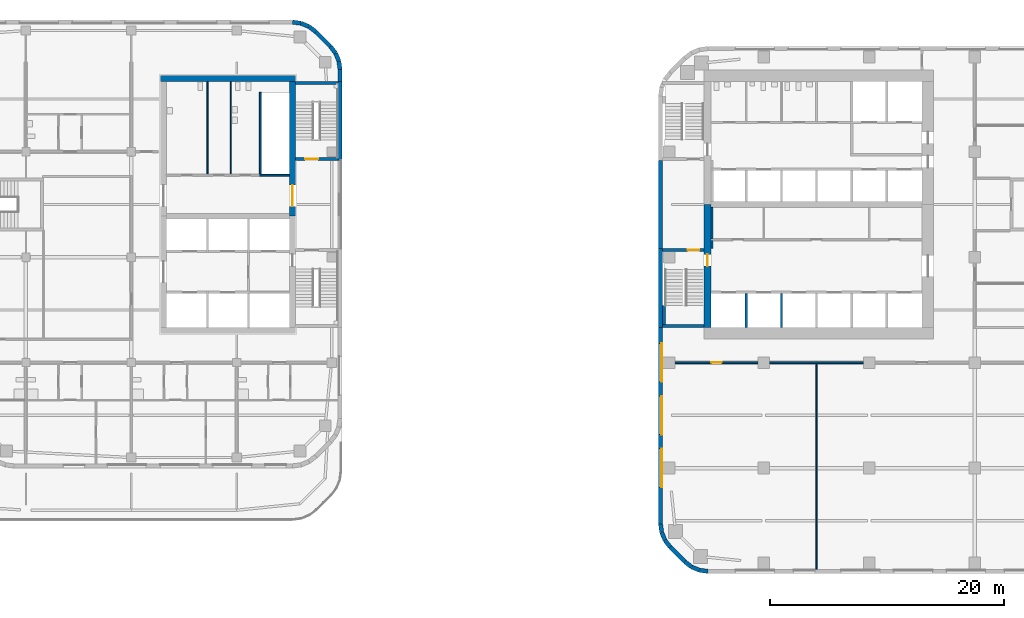
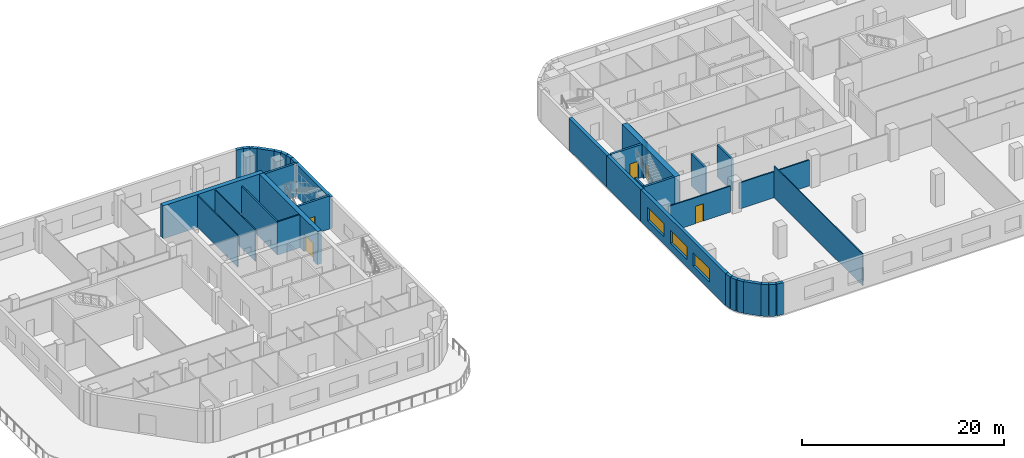
# One storey, part 8 of 15: 38 walls, 5 doors, 3 windows, 8 openings.
"""IFC4 building model written with IfcOpenShell, lengths in metres."""

from ifc_helpers import new_model, si_unit, direction, frame, frame_2d, origin, place, context, subcontext, project, spatial, rectangle, extrude, material, layer, layer_set, type_object, element, fill, save


model = new_model("IFC4")

# Units and contexts
model_context = context("Model", 3, precision=1e-05, world=origin(), true_north=direction((0.0, 1.0)))
body_context = subcontext(model_context, "Body", "Model", "MODEL_VIEW")
ifc_project = project(units=[si_unit("LENGTHUNIT", "METRE"), si_unit("AREAUNIT", "SQUARE_METRE"), si_unit("VOLUMEUNIT", "CUBIC_METRE"), si_unit("PLANEANGLEUNIT", "RADIAN"), si_unit("MASSUNIT", "GRAM", prefix="KILO")], contexts=[model_context])

# Site, building, storey
site_placement = place(None, origin())
site = spatial("IfcSite", under=ifc_project, at=site_placement, CompositionType="ELEMENT")
building_placement = place(site_placement, origin())
building = spatial("IfcBuilding", under=site, at=building_placement, Name="Cinnabar Reach Civic Tower", CompositionType="ELEMENT")
storey_placement = place(building_placement, frame((0.0, 0.0, 51.0)))
storey = spatial("IfcBuildingStorey", under=building, at=storey_placement, Name="L11", CompositionType="ELEMENT", Elevation=51.0)

# Walls
ifc_material_1 = material(Name="Facing brick with insulated backing", Category="masonry")
ifc_layer_1 = layer(ifc_material_1, 0.36)
ifc_layer_set_1 = layer_set([ifc_layer_1], Name="Brick corner wall")
wall_type_1 = type_object("IfcWallType", Name="Brick corner wall", PredefinedType="STANDARD", material=ifc_layer_set_1)
for number, where, z_axis, x_axis, name in (
    (1, (0.183, 4.2314, 0.0), (0.0, 0.0, 1.0), (0.13055608231, -0.99144092581, 0.0), "Brick corner wall"),
    (2, (0.2819, 3.5027, 0.0), (0.0, 0.0, 1.0), (0.382702709855, -0.923871547278, 0.0), "Brick corner wall"),
):
    element("IfcWall", number, at=place(storey_placement, frame(where, z_axis=z_axis, x_axis=x_axis)), inside=storey, type_object=wall_type_1, Name=name, PredefinedType="STANDARD", context=body_context, shape_type="SweptSolid", body=[
        extrude(rectangle(XDim=0.7131, YDim=0.36, at=frame_2d((0.3565, 0.0))), origin(), (0.0, 0.0, 1.0), 3.85),
    ])
for number, where, z_axis, x_axis, name in (
    (3, (0.566, 2.8245, 0.0), (0.0, 0.0, 1.0), (0.608802368033, -0.793321924995, 0.0), "Brick corner wall"),
    (4, (2.2587, 1.0002, 0.0), (0.0, 0.0, 1.0), (0.793321924995, -0.608802368033, 0.0), "Brick corner wall"),
):
    element("IfcWall", number, at=place(storey_placement, frame(where, z_axis=z_axis, x_axis=x_axis)), inside=storey, type_object=wall_type_1, Name=name, PredefinedType="STANDARD", context=body_context, shape_type="SweptSolid", body=[
        extrude(rectangle(XDim=0.7132, YDim=0.36, at=frame_2d((0.3566, 0.0))), origin(), (0.0, 0.0, 1.0), 3.85),
    ])
for number, where, z_axis, x_axis, name in (
    (5, (2.8439, 0.5548, 0.0), (0.0, 0.0, 1.0), (0.923871547278, -0.382702709855, 0.0), "Brick corner wall"),
    (6, (3.5244, 0.2761, 0.0), (0.0, 0.0, 1.0), (0.99144092581, -0.13055608231, 0.0), "Brick corner wall"),
    (7, (-27.183, 43.0186, 0.0), (0.0, 0.0, 1.0), (-0.13055608231, 0.99144092581, 0.0), "Brick corner wall"),
    (8, (-27.2819, 43.7473, 0.0), (0.0, 0.0, 1.0), (-0.382702709855, 0.923871547278, 0.0), "Brick corner wall"),
):
    element("IfcWall", number, at=place(storey_placement, frame(where, z_axis=z_axis, x_axis=x_axis)), inside=storey, type_object=wall_type_1, Name=name, PredefinedType="STANDARD", context=body_context, shape_type="SweptSolid", body=[
        extrude(rectangle(XDim=0.7131, YDim=0.36, at=frame_2d((0.3565, 0.0))), origin(), (0.0, 0.0, 1.0), 3.85),
    ])
for number, where, z_axis, x_axis, name in (
    (9, (-27.566, 44.4255, 0.0), (0.0, 0.0, 1.0), (-0.608802368033, 0.793321924995, 0.0), "Brick corner wall"),
    (10, (-29.2587, 46.2498, 0.0), (0.0, 0.0, 1.0), (-0.793321924995, 0.608802368033, 0.0), "Brick corner wall"),
):
    element("IfcWall", number, at=place(storey_placement, frame(where, z_axis=z_axis, x_axis=x_axis)), inside=storey, type_object=wall_type_1, Name=name, PredefinedType="STANDARD", context=body_context, shape_type="SweptSolid", body=[
        extrude(rectangle(XDim=0.7132, YDim=0.36, at=frame_2d((0.3566, 0.0))), origin(), (0.0, 0.0, 1.0), 3.85),
    ])
for number, where, z_axis, x_axis, name in (
    (11, (-29.8439, 46.6952, 0.0), (0.0, 0.0, 1.0), (-0.923871547278, 0.382702709855, 0.0), "Brick corner wall"),
    (12, (-30.5244, 46.9739, 0.0), (0.0, 0.0, 1.0), (-0.99144092581, 0.13055608231, 0.0), "Brick corner wall"),
):
    element("IfcWall", number, at=place(storey_placement, frame(where, z_axis=z_axis, x_axis=x_axis)), inside=storey, type_object=wall_type_1, Name=name, PredefinedType="STANDARD", context=body_context, shape_type="SweptSolid", body=[
        extrude(rectangle(XDim=0.7131, YDim=0.36, at=frame_2d((0.3565, 0.0))), origin(), (0.0, 0.0, 1.0), 3.85),
    ])
ifc_layer_2 = layer(ifc_material_1, 0.36)
ifc_layer_set_2 = layer_set([ifc_layer_2], Name="Brick pier and spandrel wall")
wall_type_2 = type_object("IfcWallType", Name="Brick pier and spandrel wall", PredefinedType="STANDARD", material=ifc_layer_set_2)
wall_1_placement = place(storey_placement, frame((0.18, 35.25, 0.0), z_axis=(0.0, 0.0, 1.0), x_axis=(0.0, -1.0, 0.0)))
element("IfcWall", 13, at=wall_1_placement, inside=storey, type_object=wall_type_2, Name="Brick facade wall", PredefinedType="STANDARD", context=body_context, shape_type="SweptSolid", body=[
    extrude(rectangle(XDim=7.5, YDim=0.36, at=frame_2d((3.75, 0.0))), origin(), (0.0, 0.0, 1.0), 3.85),
])
wall_2_placement = place(storey_placement, frame((0.18, 27.75, 0.0), z_axis=(0.0, 0.0, 1.0), x_axis=(0.0, -1.0, 0.0)))
element("IfcWall", 14, at=wall_2_placement, inside=storey, type_object=wall_type_2, Name="Brick facade wall", PredefinedType="STANDARD", context=body_context, shape_type="SweptSolid", body=[
    extrude(rectangle(XDim=6.75, YDim=0.36, at=frame_2d((3.375, 0.0))), origin(), (0.0, 0.0, 1.0), 3.85),
])

# Wall, openings, windows
wall_3_placement = place(storey_placement, frame((0.18, 21.0, 0.0), z_axis=(0.0, 0.0, 1.0), x_axis=(0.0, -1.0, 0.0)))
wall_3 = element("IfcWall", 15, at=wall_3_placement, inside=storey, type_object=wall_type_2, Name="Brick facade wall", PredefinedType="STANDARD", context=body_context, shape_type="SweptSolid", body=[
    extrude(rectangle(XDim=16.7574, YDim=0.36, at=frame_2d((8.3787, 0.0))), origin(), (0.0, 0.0, 1.0), 3.85),
])
opening_1_placement = place(wall_3_placement, frame((1.35, 0.0, 0.9)))
opening_1 = element("IfcOpeningElement", 16, at=opening_1_placement, cuts=wall_3, Name="Opening W1183", PredefinedType="OPENING", context=body_context, shape_type="SweptSolid", body=[
    extrude(rectangle(XDim=3.3, YDim=1.6, at=frame_2d((1.65, 0.8))), frame((0.0, 0.19, 0.0), z_axis=(0.0, -1.0, 0.0), x_axis=(1.0, 0.0, 0.0)), (0.0, 0.0, 1.0), 0.38),
])
opening_2_placement = place(wall_3_placement, frame((5.85, 0.0, 0.9)))
opening_2 = element("IfcOpeningElement", 17, at=opening_2_placement, cuts=wall_3, Name="Opening W1184", PredefinedType="OPENING", context=body_context, shape_type="SweptSolid", body=[
    extrude(rectangle(XDim=3.3, YDim=1.6, at=frame_2d((1.65, 0.8))), frame((0.0, 0.19, 0.0), z_axis=(0.0, -1.0, 0.0), x_axis=(1.0, 0.0, 0.0)), (0.0, 0.0, 1.0), 0.38),
])
opening_3_placement = place(wall_3_placement, frame((10.35, 0.0, 0.9)))
opening_3 = element("IfcOpeningElement", 18, at=opening_3_placement, cuts=wall_3, Name="Opening W1185", PredefinedType="OPENING", context=body_context, shape_type="SweptSolid", body=[
    extrude(rectangle(XDim=3.3, YDim=1.6, at=frame_2d((1.65, 0.8))), frame((0.0, 0.19, 0.0), z_axis=(0.0, -1.0, 0.0), x_axis=(1.0, 0.0, 0.0)), (0.0, 0.0, 1.0), 0.38),
])
ifc_material_2 = material(Name="Clear double glazing in aluminium frame", Category="aluminium")
window_type = type_object("IfcWindowType", Name="Deep-set window A", PartitioningType="SINGLE_PANEL", PredefinedType="WINDOW", material=ifc_material_2)
window_1_placement = place(opening_1_placement, origin())
window_1 = element("IfcWindow", 19, at=window_1_placement, inside=storey, type_object=window_type, Name="Window west face", OverallHeight=1.6, OverallWidth=3.3, PartitioningType="SINGLE_PANEL", PredefinedType="WINDOW", context=body_context, shape_type="SweptSolid", body=[
    extrude(rectangle(XDim=3.3, YDim=1.6, at=frame_2d((1.65, 0.8))), frame((0.0, 0.13, 0.0), z_axis=(0.0, -1.0, 0.0), x_axis=(1.0, 0.0, 0.0)), (0.0, 0.0, 1.0), 0.06),
])
fill(opening_1, window_1)
window_2_placement = place(opening_2_placement, origin())
window_2 = element("IfcWindow", 20, at=window_2_placement, inside=storey, type_object=window_type, Name="Window west face", OverallHeight=1.6, OverallWidth=3.3, PartitioningType="SINGLE_PANEL", PredefinedType="WINDOW", context=body_context, shape_type="SweptSolid", body=[
    extrude(rectangle(XDim=3.3, YDim=1.6, at=frame_2d((1.65, 0.8))), frame((0.0, 0.13, 0.0), z_axis=(0.0, -1.0, 0.0), x_axis=(1.0, 0.0, 0.0)), (0.0, 0.0, 1.0), 0.06),
])
fill(opening_2, window_2)
window_3_placement = place(opening_3_placement, origin())
window_3 = element("IfcWindow", 21, at=window_3_placement, inside=storey, type_object=window_type, Name="Window west face", OverallHeight=1.6, OverallWidth=3.3, PartitioningType="SINGLE_PANEL", PredefinedType="WINDOW", context=body_context, shape_type="SweptSolid", body=[
    extrude(rectangle(XDim=3.3, YDim=1.6, at=frame_2d((1.65, 0.8))), frame((0.0, 0.13, 0.0), z_axis=(0.0, -1.0, 0.0), x_axis=(1.0, 0.0, 0.0)), (0.0, 0.0, 1.0), 0.06),
])
fill(opening_3, window_3)

# Walls
wall_4_placement = place(storey_placement, frame((1.006, 2.2486, 0.0), z_axis=(0.0, 0.0, 1.0), x_axis=(0.707106781187, -0.707106781187, 0.0)))
element("IfcWall", 22, at=wall_4_placement, inside=storey, type_object=wall_type_2, Name="Brick facade wall", PredefinedType="STANDARD", context=body_context, shape_type="SweptSolid", body=[
    extrude(rectangle(XDim=1.7573, YDim=0.36, at=frame_2d((0.8787, 0.0))), origin(), (0.0, 0.0, 1.0), 3.85),
])
wall_5_placement = place(storey_placement, frame((-27.18, 35.25, 0.0), z_axis=(0.0, 0.0, 1.0), x_axis=(0.0, 1.0, 0.0)))
element("IfcWall", 23, at=wall_5_placement, inside=storey, type_object=wall_type_2, Name="Brick facade wall", PredefinedType="STANDARD", context=body_context, shape_type="SweptSolid", body=[
    extrude(rectangle(XDim=6.75, YDim=0.36, at=frame_2d((3.375, 0.0))), origin(), (0.0, 0.0, 1.0), 3.85),
])
wall_6_placement = place(storey_placement, frame((-27.18, 42.0, 0.0), z_axis=(0.0, 0.0, 1.0), x_axis=(0.0, 1.0, 0.0)))
element("IfcWall", 24, at=wall_6_placement, inside=storey, type_object=wall_type_2, Name="Brick facade wall", PredefinedType="STANDARD", context=body_context, shape_type="SweptSolid", body=[
    extrude(rectangle(XDim=1.0074, YDim=0.36, at=frame_2d((0.5037, 0.0))), origin(), (0.0, 0.0, 1.0), 3.85),
])
wall_7_placement = place(storey_placement, frame((-28.006, 45.0014, 0.0), z_axis=(0.0, 0.0, 1.0), x_axis=(-0.707106781187, 0.707106781187, 0.0)))
element("IfcWall", 25, at=wall_7_placement, inside=storey, type_object=wall_type_2, Name="Brick facade wall", PredefinedType="STANDARD", context=body_context, shape_type="SweptSolid", body=[
    extrude(rectangle(XDim=1.7573, YDim=0.36, at=frame_2d((0.8787, 0.0))), origin(), (0.0, 0.0, 1.0), 3.85),
])
ifc_material_3 = material(Name="Concrete C60", Category="concrete")
ifc_layer_3 = layer(ifc_material_3, 0.5)
ifc_layer_set_3 = layer_set([ifc_layer_3], Name="Core wall 500 EI 180")
wall_type_3 = type_object("IfcWallType", Name="Core wall 500 EI 180", PredefinedType="SOLIDWALL", material=ifc_layer_set_3)
wall_8_placement = place(storey_placement, frame((-31.0, 42.25, 0.0), z_axis=(0.0, 0.0, 1.0), x_axis=(-1.0, 0.0, 0.0)))
element("IfcWall", 26, at=wall_8_placement, inside=storey, type_object=wall_type_3, Name="Core wall T2 L11 N", PredefinedType="SOLIDWALL", context=body_context, shape_type="SweptSolid", body=[
    extrude(rectangle(XDim=11.5, YDim=0.5, at=frame_2d((5.75, 0.0))), origin(), (0.0, 0.0, 1.0), 4.0),
])

# Wall, opening, door
wall_9_placement = place(storey_placement, frame((-31.25, 30.5, 0.0), z_axis=(0.0, 0.0, 1.0), x_axis=(0.0, 1.0, 0.0)))
wall_9 = element("IfcWall", 27, at=wall_9_placement, inside=storey, type_object=wall_type_3, Name="Core wall T2 L11 E2", PredefinedType="SOLIDWALL", context=body_context, shape_type="SweptSolid", body=[
    extrude(rectangle(XDim=11.5, YDim=0.5, at=frame_2d((5.75, 0.0))), origin(), (0.0, 0.0, 1.0), 4.0),
])
opening_4_placement = place(wall_9_placement, frame((0.85, 0.0, 0.0)))
opening_4 = element("IfcOpeningElement", 28, at=opening_4_placement, cuts=wall_9, Name="Opening D6406", PredefinedType="OPENING", context=body_context, shape_type="SweptSolid", body=[
    extrude(rectangle(XDim=1.8, YDim=2.1, at=frame_2d((0.9, 1.05))), frame((0.0, 0.26, 0.0), z_axis=(0.0, -1.0, 0.0), x_axis=(1.0, 0.0, 0.0)), (0.0, 0.0, 1.0), 0.52),
])
ifc_material_4 = material(Name="Steel fire door", Category="steel")
door_type_1 = type_object("IfcDoorType", Name="T2 Double door 1800", OperationType="DOUBLE_DOOR_SINGLE_SWING", PredefinedType="DOOR", material=ifc_material_4)
door_1_placement = place(opening_4_placement, origin())
door_1 = element("IfcDoor", 29, at=door_1_placement, inside=storey, type_object=door_type_1, Name="T2 Double door D6406", OperationType="DOUBLE_DOOR_SINGLE_SWING", OverallHeight=2.1, OverallWidth=1.8, PredefinedType="DOOR", context=body_context, shape_type="SweptSolid", body=[
    extrude(rectangle(XDim=1.8, YDim=2.1, at=frame_2d((0.9, 1.05))), frame((0.0, 0.025, 0.0), z_axis=(0.0, -1.0, 0.0), x_axis=(1.0, 0.0, 0.0)), (0.0, 0.0, 1.0), 0.05),
])
fill(opening_4, door_1)

ifc_material_5 = material(Name="Concrete C70", Category="concrete")
ifc_layer_4 = layer(ifc_material_5, 0.6)
ifc_layer_set_4 = layer_set([ifc_layer_4], Name="Core wall 600 EI 180")
wall_type_4 = type_object("IfcWallType", Name="Core wall 600 EI 180", PredefinedType="SOLIDWALL", material=ifc_layer_set_4)
wall_10_placement = place(storey_placement, frame((4.2, 31.5, 0.0), z_axis=(0.0, 0.0, 1.0), x_axis=(0.0, -1.0, 0.0)))
wall_10 = element("IfcWall", 30, at=wall_10_placement, inside=storey, type_object=wall_type_4, Name="Core wall T1 L11 W2", PredefinedType="SOLIDWALL", context=body_context, shape_type="SweptSolid", body=[
    extrude(rectangle(XDim=10.5, YDim=0.6, at=frame_2d((5.25, 0.0))), origin(), (0.0, 0.0, 1.0), 4.0),
])
opening_5_placement = place(wall_10_placement, frame((4.25, 0.0, 0.0)))
opening_5 = element("IfcOpeningElement", 31, at=opening_5_placement, cuts=wall_10, Name="Opening D3431", PredefinedType="OPENING", context=body_context, shape_type="SweptSolid", body=[
    extrude(rectangle(XDim=1.0, YDim=2.1, at=frame_2d((0.5, 1.05))), frame((0.0, 0.31, 0.0), z_axis=(0.0, -1.0, 0.0), x_axis=(1.0, 0.0, 0.0)), (0.0, 0.0, 1.0), 0.62),
])
ifc_material_6 = material(Name="Timber door leaf in steel frame", Category="steel")
door_type_2 = type_object("IfcDoorType", Name="Stair door 1000 x 2100 T1", OperationType="SINGLE_SWING_LEFT", PredefinedType="DOOR", material=ifc_material_6)
door_2_placement = place(opening_5_placement, frame((1.0, 0.0, 0.0), z_axis=(0.0, 0.0, 1.0), x_axis=(-1.0, 0.0, 0.0)))
door_2 = element("IfcDoor", 32, at=door_2_placement, inside=storey, type_object=door_type_2, Name="Door D3431", OperationType="SINGLE_SWING_RIGHT", OverallHeight=2.1, OverallWidth=1.0, PredefinedType="DOOR", context=body_context, shape_type="SweptSolid", body=[
    extrude(rectangle(XDim=1.0, YDim=2.1, at=frame_2d((0.5, 1.05))), frame((0.0, 0.025, 0.0), z_axis=(0.0, -1.0, 0.0), x_axis=(1.0, 0.0, 0.0)), (0.0, 0.0, 1.0), 0.05),
])
fill(opening_5, door_2)

# Wall
ifc_material_7 = material(Name="Gypsum board on steel studs, double layer", Category="steel")
ifc_layer_5 = layer(ifc_material_7, 0.15)
ifc_layer_set_5 = layer_set([ifc_layer_5], Name="Corridor wall 150 T1")
wall_type_5 = type_object("IfcWallType", Name="Corridor wall 150 T1", PredefinedType="PARTITIONING", material=ifc_layer_set_5)
wall_11_placement = place(storey_placement, frame((9.5, 18.0, 0.0), z_axis=(0.0, 0.0, 1.0), x_axis=(1.0, 0.0, 0.0)))
element("IfcWall", 33, at=wall_11_placement, inside=storey, type_object=wall_type_5, Name="Corridor wall 24", PredefinedType="PARTITIONING", context=body_context, shape_type="SweptSolid", body=[
    extrude(rectangle(XDim=8.0, YDim=0.15, at=frame_2d((4.0, 0.0))), origin(), (0.0, 0.0, 1.0), 3.15),
])

# Wall, opening, door
wall_12_placement = place(storey_placement, frame((1.4, 18.0, 0.0), z_axis=(0.0, 0.0, 1.0), x_axis=(1.0, 0.0, 0.0)))
wall_12 = element("IfcWall", 34, at=wall_12_placement, inside=storey, type_object=wall_type_5, Name="Corridor wall 25", PredefinedType="PARTITIONING", context=body_context, shape_type="SweptSolid", body=[
    extrude(rectangle(XDim=7.1, YDim=0.15, at=frame_2d((3.55, 0.0))), origin(), (0.0, 0.0, 1.0), 3.15),
])
opening_6_placement = place(wall_12_placement, frame((3.1, 0.0, 0.0)))
opening_6 = element("IfcOpeningElement", 35, at=opening_6_placement, cuts=wall_12, Name="Opening D3463", PredefinedType="OPENING", context=body_context, shape_type="SweptSolid", body=[
    extrude(rectangle(XDim=0.9, YDim=2.1, at=frame_2d((0.45, 1.05))), frame((0.0, 0.085, 0.0), z_axis=(0.0, -1.0, 0.0), x_axis=(1.0, 0.0, 0.0)), (0.0, 0.0, 1.0), 0.17),
])
door_type_3 = type_object("IfcDoorType", Name="Single swing door 900 x 2100 corridor T1", OperationType="SINGLE_SWING_LEFT", PredefinedType="DOOR", material=ifc_material_6)
door_3_placement = place(opening_6_placement, frame((0.9, 0.0, 0.0), z_axis=(0.0, 0.0, 1.0), x_axis=(-1.0, 0.0, 0.0)))
door_3 = element("IfcDoor", 36, at=door_3_placement, inside=storey, type_object=door_type_3, Name="Door D3463", OperationType="SINGLE_SWING_RIGHT", OverallHeight=2.1, OverallWidth=0.9, PredefinedType="DOOR", context=body_context, shape_type="SweptSolid", body=[
    extrude(rectangle(XDim=0.9, YDim=2.1, at=frame_2d((0.45, 1.05))), frame((0.0, 0.025, 0.0), z_axis=(0.0, -1.0, 0.0), x_axis=(1.0, 0.0, 0.0)), (0.0, 0.0, 1.0), 0.05),
])
fill(opening_6, door_3)

# Walls
wall_13_placement = place(storey_placement, frame((4.575, 27.75, 0.0), z_axis=(0.0, 0.0, 1.0), x_axis=(0.0, 1.0, 0.0)))
element("IfcWall", 37, at=wall_13_placement, inside=storey, type_object=wall_type_5, Name="Corridor wall 33", PredefinedType="PARTITIONING", context=body_context, shape_type="SweptSolid", body=[
    extrude(rectangle(XDim=0.675, YDim=0.15, at=frame_2d((0.3375, 0.0))), origin(), (0.0, 0.0, 1.0), 3.85),
])
wall_14_placement = place(storey_placement, frame((4.575, 28.575, 0.0), z_axis=(0.0, 0.0, 1.0), x_axis=(0.0, 1.0, 0.0)))
element("IfcWall", 38, at=wall_14_placement, inside=storey, type_object=wall_type_5, Name="Corridor wall 34", PredefinedType="PARTITIONING", context=body_context, shape_type="SweptSolid", body=[
    extrude(rectangle(XDim=2.675, YDim=0.15, at=frame_2d((1.3375, 0.0))), origin(), (0.0, 0.0, 1.0), 3.85),
])
ifc_material_8 = material(Name="Blockwork", Category="masonry")
ifc_layer_6 = layer(ifc_material_8, 0.2)
ifc_layer_set_6 = layer_set([ifc_layer_6], Name="Lift shaft wall 200 T1")
wall_type_6 = type_object("IfcWallType", Name="Lift shaft wall 200 T1", PredefinedType="PARTITIONING", material=ifc_layer_set_6)
for number, where, z_axis, x_axis, name in (
    (39, (7.5, 21.0, 0.0), (0.0, 0.0, 1.0), (0.0, 1.0, 0.0), "Lift shaft wall 9"),
    (40, (10.5, 21.0, 0.0), (0.0, 0.0, 1.0), (0.0, 1.0, 0.0), "Lift shaft wall 11"),
):
    element("IfcWall", number, at=place(storey_placement, frame(where, z_axis=z_axis, x_axis=x_axis)), inside=storey, type_object=wall_type_6, Name=name, PredefinedType="PARTITIONING", context=body_context, shape_type="SweptSolid", body=[
        extrude(rectangle(XDim=2.9, YDim=0.2, at=frame_2d((1.45, 0.0))), origin(), (0.0, 0.0, 1.0), 3.85),
    ])
ifc_material_9 = material(Name="Gypsum board on steel studs", Category="steel")
ifc_layer_7 = layer(ifc_material_9, 0.1)
ifc_layer_set_7 = layer_set([ifc_layer_7], Name="Partition wall 100 T1")
wall_type_7 = type_object("IfcWallType", Name="Partition wall 100 T1", PredefinedType="PARTITIONING", material=ifc_layer_set_7)
wall_15_placement = place(storey_placement, frame((13.5, 0.36, 0.0), z_axis=(0.0, 0.0, 1.0), x_axis=(0.0, 1.0, 0.0)))
element("IfcWall", 41, at=wall_15_placement, inside=storey, type_object=wall_type_7, Name="Partition wall 43", PredefinedType="PARTITIONING", context=body_context, shape_type="SweptSolid", body=[
    extrude(rectangle(XDim=17.565, YDim=0.1, at=frame_2d((8.7825, 0.0))), origin(), (0.0, 0.0, 1.0), 3.85),
])
ifc_layer_8 = layer(ifc_material_3, 0.25)
ifc_layer_set_8 = layer_set([ifc_layer_8], Name="Stair shaft wall 250 EI 120")
wall_type_8 = type_object("IfcWallType", Name="Stair shaft wall 250 EI 120", PredefinedType="SOLIDWALL", material=ifc_layer_set_8)
wall_16_placement = place(storey_placement, frame((0.36, 21.125, 0.0), z_axis=(0.0, 0.0, 1.0), x_axis=(1.0, 0.0, 0.0)))
element("IfcWall", 42, at=wall_16_placement, inside=storey, type_object=wall_type_8, Name="Stair shaft wall T1-S1 L11", PredefinedType="SOLIDWALL", context=body_context, shape_type="SweptSolid", body=[
    extrude(rectangle(XDim=3.54, YDim=0.25, at=frame_2d((1.77, 0.0))), origin(), (0.0, 0.0, 1.0), 4.0),
])

# Wall, opening, door
wall_17_placement = place(storey_placement, frame((3.9, 27.625, 0.0), z_axis=(0.0, 0.0, 1.0), x_axis=(-1.0, 0.0, 0.0)))
wall_17 = element("IfcWall", 43, at=wall_17_placement, inside=storey, type_object=wall_type_8, Name="Stair shaft wall T1-S1 L11", PredefinedType="SOLIDWALL", context=body_context, shape_type="SweptSolid", body=[
    extrude(rectangle(XDim=3.54, YDim=0.25, at=frame_2d((1.77, 0.0))), origin(), (0.0, 0.0, 1.0), 4.0),
])
opening_7_placement = place(wall_17_placement, frame((0.4, 0.0, 0.0)))
opening_7 = element("IfcOpeningElement", 44, at=opening_7_placement, cuts=wall_17, Name="Opening D3432", PredefinedType="OPENING", context=body_context, shape_type="SweptSolid", body=[
    extrude(rectangle(XDim=1.0, YDim=2.1, at=frame_2d((0.5, 1.05))), frame((0.0, 0.135, 0.0), z_axis=(0.0, -1.0, 0.0), x_axis=(1.0, 0.0, 0.0)), (0.0, 0.0, 1.0), 0.27),
])
door_4_placement = place(opening_7_placement, origin())
door_4 = element("IfcDoor", 45, at=door_4_placement, inside=storey, type_object=door_type_2, Name="Door D3432", OperationType="SINGLE_SWING_LEFT", OverallHeight=2.1, OverallWidth=1.0, PredefinedType="DOOR", context=body_context, shape_type="SweptSolid", body=[
    extrude(rectangle(XDim=1.0, YDim=2.1, at=frame_2d((0.5, 1.05))), frame((0.0, 0.025, 0.0), z_axis=(0.0, -1.0, 0.0), x_axis=(1.0, 0.0, 0.0)), (0.0, 0.0, 1.0), 0.05),
])
fill(opening_7, door_4)

wall_18_placement = place(storey_placement, frame((-31.0, 35.375, 0.0), z_axis=(0.0, 0.0, 1.0), x_axis=(1.0, 0.0, 0.0)))
wall_18 = element("IfcWall", 46, at=wall_18_placement, inside=storey, type_object=wall_type_8, Name="Stair shaft wall T2-S2 L11", PredefinedType="SOLIDWALL", context=body_context, shape_type="SweptSolid", body=[
    extrude(rectangle(XDim=3.64, YDim=0.25, at=frame_2d((1.82, 0.0))), origin(), (0.0, 0.0, 1.0), 4.0),
])
opening_8_placement = place(wall_18_placement, frame((0.85, 0.0, 0.0)))
opening_8 = element("IfcOpeningElement", 47, at=opening_8_placement, cuts=wall_18, Name="Opening D6405", PredefinedType="OPENING", context=body_context, shape_type="SweptSolid", body=[
    extrude(rectangle(XDim=1.1, YDim=2.1, at=frame_2d((0.55, 1.05))), frame((0.0, 0.135, 0.0), z_axis=(0.0, -1.0, 0.0), x_axis=(1.0, 0.0, 0.0)), (0.0, 0.0, 1.0), 0.27),
])
door_type_4 = type_object("IfcDoorType", Name="T2 Stair door 1100", OperationType="SINGLE_SWING_LEFT", PredefinedType="DOOR", material=ifc_material_4)
door_5_placement = place(opening_8_placement, origin())
door_5 = element("IfcDoor", 48, at=door_5_placement, inside=storey, type_object=door_type_4, Name="T2 Stair door D6405", OperationType="SINGLE_SWING_RIGHT", OverallHeight=2.1, OverallWidth=1.1, PredefinedType="DOOR", context=body_context, shape_type="SweptSolid", body=[
    extrude(rectangle(XDim=1.1, YDim=2.1, at=frame_2d((0.55, 1.05))), frame((0.0, 0.025, 0.0), z_axis=(0.0, -1.0, 0.0), x_axis=(1.0, 0.0, 0.0)), (0.0, 0.0, 1.0), 0.05),
])
fill(opening_8, door_5)

# Walls
wall_19_placement = place(storey_placement, frame((-27.36, 41.875, 0.0), z_axis=(0.0, 0.0, 1.0), x_axis=(-1.0, 0.0, 0.0)))
element("IfcWall", 49, at=wall_19_placement, inside=storey, type_object=wall_type_8, Name="Stair shaft wall T2-S2 L11", PredefinedType="SOLIDWALL", context=body_context, shape_type="SweptSolid", body=[
    extrude(rectangle(XDim=3.64, YDim=0.25, at=frame_2d((1.82, 0.0))), origin(), (0.0, 0.0, 1.0), 4.0),
])
ifc_material_10 = material(Name="Concrete C40/50", Category="concrete")
ifc_layer_9 = layer(ifc_material_10, 0.24)
ifc_layer_set_9 = layer_set([ifc_layer_9], Name="T1 landing bearer wall 240")
wall_type_9 = type_object("IfcWallType", Name="T1 landing bearer wall 240", PredefinedType="STANDARD", material=ifc_layer_set_9)
wall_20_placement = place(storey_placement, frame((0.48, 21.25, 0.0), z_axis=(0.0, 0.0, 1.0), x_axis=(0.0, 1.0, 0.0)))
element("IfcWall", 50, at=wall_20_placement, inside=storey, type_object=wall_type_9, Name="T1-S1 landing bearer wall", PredefinedType="STANDARD", context=body_context, shape_type="SweptSolid", body=[
    extrude(rectangle(XDim=1.62, YDim=0.24, at=frame_2d((0.81, 0.0))), origin(), (0.0, 0.0, 1.0), 4.0),
])
ifc_material_11 = material(Name="Gypsum board partition")
ifc_layer_10 = layer(ifc_material_11, 0.1)
ifc_layer_set_10 = layer_set([ifc_layer_10], Name="T2 Internal partition 100")
wall_type_10 = type_object("IfcWallType", Name="T2 Internal partition 100", PredefinedType="PARTITIONING", material=ifc_layer_set_10)
for number, where, z_axis, x_axis, name in (
    (51, (-38.5, 34.075, 0.0), (0.0, 0.0, 1.0), (0.0, 1.0, 0.0), "T2 Internal partition L11 017"),
    (52, (-36.5, 34.075, 0.0), (0.0, 0.0, 1.0), (0.0, 1.0, 0.0), "T2 Internal partition L11 018"),
):
    element("IfcWall", number, at=place(storey_placement, frame(where, z_axis=z_axis, x_axis=x_axis)), inside=storey, type_object=wall_type_10, Name=name, PredefinedType="PARTITIONING", context=body_context, shape_type="SweptSolid", body=[
        extrude(rectangle(XDim=7.925, YDim=0.1, at=frame_2d((3.9625, 0.0))), origin(), (0.0, 0.0, 1.0), 3.85),
    ])
ifc_material_12 = material(Name="Concrete C40", Category="concrete")
ifc_layer_11 = layer(ifc_material_12, 0.15)
ifc_layer_set_11 = layer_set([ifc_layer_11], Name="T2 Riser wall 150")
wall_type_11 = type_object("IfcWallType", Name="T2 Riser wall 150", PredefinedType="SOLIDWALL", material=ifc_layer_set_11)
wall_21_placement = place(storey_placement, frame((-34.075, 34.0, 0.0), z_axis=(0.0, 0.0, 1.0), x_axis=(1.0, 0.0, 0.0)))
element("IfcWall", 53, at=wall_21_placement, inside=storey, type_object=wall_type_11, Name="T2 Riser wall L11 012", PredefinedType="SOLIDWALL", context=body_context, shape_type="SweptSolid", body=[
    extrude(rectangle(XDim=2.575, YDim=0.15, at=frame_2d((1.2875, 0.0))), origin(), (0.0, 0.0, 1.0), 4.0),
])
wall_22_placement = place(storey_placement, frame((-34.0, 41.075, 0.0), z_axis=(0.0, 0.0, 1.0), x_axis=(0.0, -1.0, 0.0)))
element("IfcWall", 54, at=wall_22_placement, inside=storey, type_object=wall_type_11, Name="T2 Riser wall L11 013", PredefinedType="SOLIDWALL", context=body_context, shape_type="SweptSolid", body=[
    extrude(rectangle(XDim=7.0, YDim=0.15, at=frame_2d((3.5, 0.0))), origin(), (0.0, 0.0, 1.0), 4.0),
])

save(model, "model.ifc")
